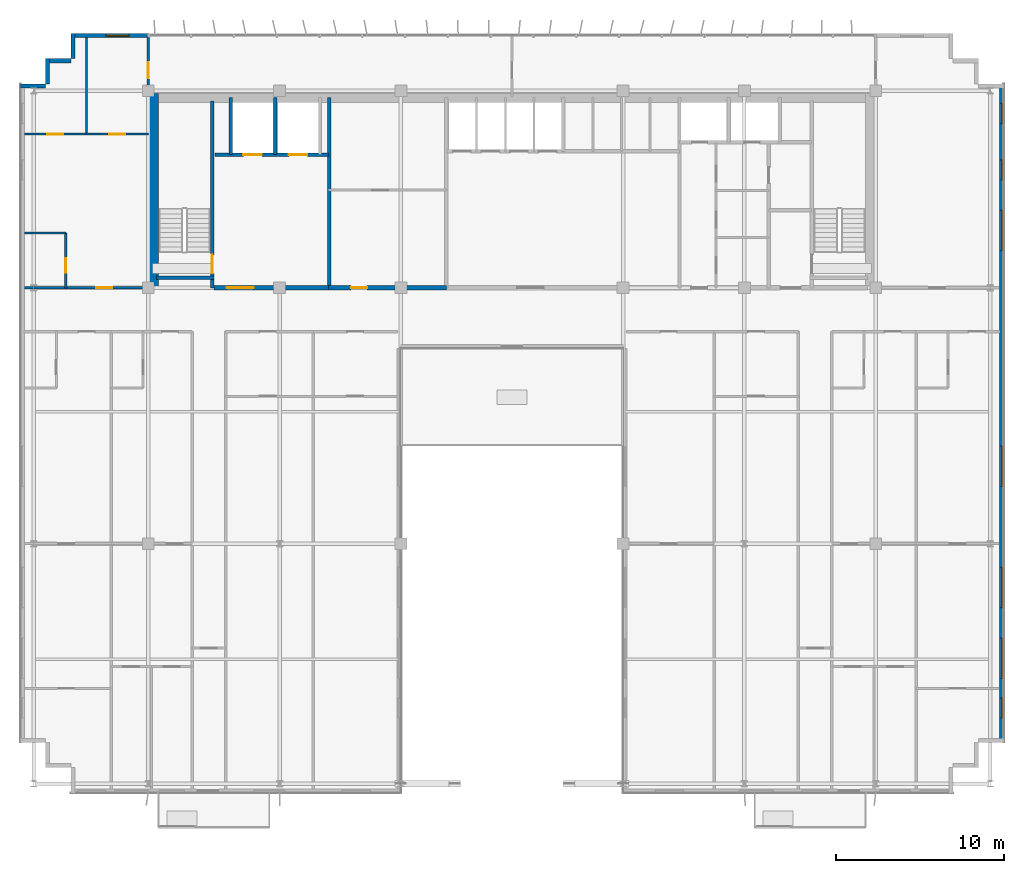
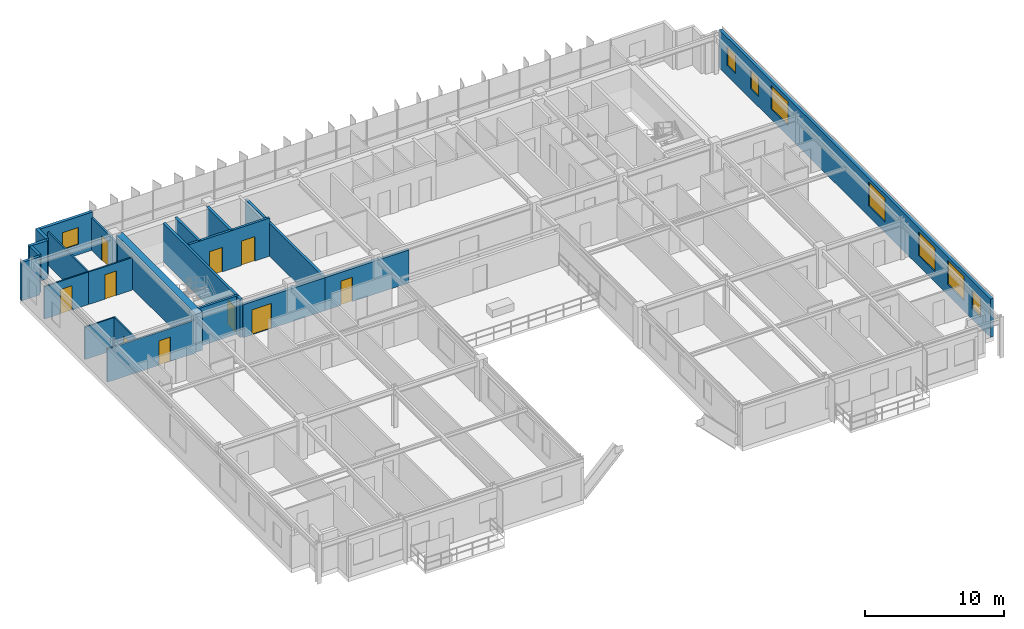
# One storey, part 19 of 23: 22 walls, 10 doors, 8 windows, 18 openings.
"""IFC4 building model written with IfcOpenShell, lengths in metres."""

import ifcopenshell
import ifcopenshell.guid

model = None  # the IFC model being written
_history = None  # IfcOwnerHistory: only IFC2X3 demands one
_inside = {}  # id of a spatial element -> (the spatial element, [elements in it])
_under = {}  # id of a project, library or spatial element -> (it, [spatial elements below it])
_declared = {}  # id of a project -> (the project, [libraries it declares])
_typed = {}  # id of a type object -> (the type object, [elements of that type])
_made_of = {}  # id of a material, layer set ... -> (it, [elements and type objects made of it])


def new_model(schema):
    """Start an empty IFC model of exactly this schema.

    Asked for "IFC4X3", IfcOpenShell would pick the latest addendum, in which some entities
    have other attributes; the version numbers below select the first issue.
    IFC2X3 requires an IfcOwnerHistory on every rooted entity: one is made here for all.
    """
    global model, _history
    if schema == "IFC4X3":
        model = ifcopenshell.file(schema_version=(4, 3, 0, 0))
    else:
        model = ifcopenshell.file(schema=schema)
    _inside.clear()
    _under.clear()
    _declared.clear()
    _typed.clear()
    _made_of.clear()
    _history = None
    if model.schema == "IFC2X3":
        org = make("IfcOrganization", Name="unknown")
        user = make(
            "IfcPersonAndOrganization",
            ThePerson=make("IfcPerson", FamilyName="unknown"),
            TheOrganization=org,
        )
        app = make(
            "IfcApplication",
            ApplicationDeveloper=org,
            Version="unknown",
            ApplicationFullName="unknown",
            ApplicationIdentifier="unknown",
        )
        _history = make(
            "IfcOwnerHistory",
            OwningUser=user,
            OwningApplication=app,
            ChangeAction="ADDED",
            CreationDate=0,
        )
    return model


def make(cls, **values):
    """One entity of the class cls with the attributes given. An attribute that is None is left unset."""
    return model.create_entity(
        cls, **{name: value for name, value in values.items() if value is not None}
    )


def rooted(cls, **values):
    """An entity with a GlobalId (a new one), such as an element, a storey or a relation."""
    return make(cls, GlobalId=ifcopenshell.guid.new(), OwnerHistory=_history, **values)


def si_unit(unit_type, name, prefix=None):
    """IfcSIUnit, for example si_unit("LENGTHUNIT", "METRE", prefix="MILLI")."""
    return make("IfcSIUnit", UnitType=unit_type, Prefix=prefix, Name=name)


def assignment(units):
    """IfcUnitAssignment: the units of a project."""
    return None if units is None else make("IfcUnitAssignment", Units=units)


def point(xyz):
    """IfcCartesianPoint."""
    return None if xyz is None else make("IfcCartesianPoint", Coordinates=xyz)


def direction(xyz):
    """IfcDirection."""
    return None if xyz is None else make("IfcDirection", DirectionRatios=xyz)


def frame(location, z_axis=None, x_axis=None):
    """IfcAxis2Placement3D, a coordinate frame: its origin and axes. An axis left out is left unset."""
    return make(
        "IfcAxis2Placement3D",
        Location=point(location),
        Axis=direction(z_axis),
        RefDirection=direction(x_axis),
    )


def frame_2d(location, x_axis=None):
    """IfcAxis2Placement2D, a coordinate frame in the plane: its origin and x axis."""
    return make(
        "IfcAxis2Placement2D", Location=point(location), RefDirection=direction(x_axis)
    )


def origin():
    """The frame at (0, 0, 0) with its axes left unset."""
    return frame((0.0, 0.0, 0.0))


def place(relative_to, where):
    """IfcLocalPlacement: puts the frame where relative to a parent placement (None: the world)."""
    return make(
        "IfcLocalPlacement", PlacementRelTo=relative_to, RelativePlacement=where
    )


def context(
    kind, dimensions, precision=None, world=None, true_north=None, identifier=None
):
    """IfcGeometricRepresentationContext, for example the 3D "Model" context."""
    return make(
        "IfcGeometricRepresentationContext",
        ContextIdentifier=identifier,
        ContextType=kind,
        CoordinateSpaceDimension=dimensions,
        Precision=precision,
        WorldCoordinateSystem=world,
        TrueNorth=true_north,
    )


def subcontext(parent, identifier, kind, view, scale=None):
    """IfcGeometricRepresentationSubContext, for example "Body" below "Model"."""
    return make(
        "IfcGeometricRepresentationSubContext",
        ContextIdentifier=identifier,
        ContextType=kind,
        ParentContext=parent,
        TargetScale=scale,
        TargetView=view,
    )


def project(units=None, contexts=None):
    """IfcProject with its units and contexts."""
    return rooted(
        "IfcProject",
        Name="project",
        RepresentationContexts=contexts,
        UnitsInContext=assignment(units),
    )


def spatial(cls, under=None, at=None, **own):
    """A site, building, storey or space (cls), placed at a placement, below another one or the project."""
    s = rooted(cls, ObjectPlacement=at, **own)
    if under is not None:
        _under.setdefault(under.id(), (under, []))[1].append(s)
    return s


def profile(cls, at=None, kind="AREA", **sizes):
    """A parametric profile (cls). Its sizes go by their IFC names, for example OverallWidth=200.0."""
    return make(cls, ProfileType=kind, Position=at, **sizes)


def rectangle(**sizes):
    """IfcRectangleProfileDef."""
    return profile("IfcRectangleProfileDef", **sizes)


def extrude(swept, where, along, depth):
    """IfcExtrudedAreaSolid: the profile swept, set in the frame where, extruded along a direction by depth."""
    return make(
        "IfcExtrudedAreaSolid",
        SweptArea=swept,
        Position=where,
        ExtrudedDirection=direction(along),
        Depth=depth,
    )


def shape(context_of_items, identifier, shape_type, items):
    """IfcShapeRepresentation: the items that make up one representation, for example the "Body"."""
    return make(
        "IfcShapeRepresentation",
        ContextOfItems=context_of_items,
        RepresentationIdentifier=identifier,
        RepresentationType=shape_type,
        Items=items,
    )


def source(mapping_origin, context_of_items, identifier, shape_type, items):
    """IfcRepresentationMap: a shape defined once, which mapped items show again and again."""
    return make(
        "IfcRepresentationMap",
        MappingOrigin=mapping_origin,
        MappedRepresentation=shape(context_of_items, identifier, shape_type, items),
    )


def transform(
    local_origin,
    x_axis=None,
    y_axis=None,
    z_axis=None,
    scale=None,
    scale2=None,
    scale3=None,
    uniform=True,
):
    """IfcCartesianTransformationOperator3D, or its non-uniform kind. x_axis, y_axis, z_axis: its Axis1, 2, 3."""
    if uniform:
        return make(
            "IfcCartesianTransformationOperator3D",
            Axis1=direction(x_axis),
            Axis2=direction(y_axis),
            LocalOrigin=point(local_origin),
            Scale=scale,
            Axis3=direction(z_axis),
        )
    return make(
        "IfcCartesianTransformationOperator3DnonUniform",
        Axis1=direction(x_axis),
        Axis2=direction(y_axis),
        LocalOrigin=point(local_origin),
        Scale=scale,
        Axis3=direction(z_axis),
        Scale2=scale2,
        Scale3=scale3,
    )


def mapped(mapping_source, mapping_target):
    """IfcMappedItem: shows the shape of a source again, moved by a transform."""
    return make(
        "IfcMappedItem", MappingSource=mapping_source, MappingTarget=mapping_target
    )


def material(Name=None, Category=None):
    """IfcMaterial."""
    return make("IfcMaterial", Name=Name, Category=Category)


def layer(
    of_material, thickness, ventilated=None, Name=None, Category=None, Priority=None
):
    """IfcMaterialLayer: one layer of a wall or slab, of a material (None: an air gap)."""
    return make(
        "IfcMaterialLayer",
        Material=of_material,
        LayerThickness=thickness,
        IsVentilated=ventilated,
        Name=Name,
        Category=Category,
        Priority=Priority,
    )


def layer_set(layers, Name=None):
    """IfcMaterialLayerSet."""
    return make("IfcMaterialLayerSet", MaterialLayers=layers, LayerSetName=Name)


def made_of(thing, what):
    """Note that an element or type object is made of a material, layer set ...; save() writes the relation."""
    if what is not None:
        _made_of.setdefault(what.id(), (what, []))[1].append(thing)
    return thing


def type_object(cls, material=None, **own):
    """A type object (cls), such as IfcWallType, which elements share."""
    return made_of(rooted(cls, **own), material)


def element(
    cls,
    number,
    at=None,
    inside=None,
    cuts=None,
    type_object=None,
    material=None,
    context=None,
    identifier="Body",
    shape_type=None,
    held_by="IfcProductDefinitionShape",
    body=None,
    shapes=None,
    **own,
):
    """One element of the class cls, such as IfcWall. Its Tag is "e" and its number.

    at: its placement. inside: the storey or other place that contains it. cuts: it is an
    opening in that element (IfcRelVoidsElement). A single representation is given by context,
    identifier, shape_type and body (its items); several are given by shapes. held_by: the class
    of the entity that holds the representations. save() writes the other relations.
    """
    e = rooted(cls, Tag="e%d" % number, ObjectPlacement=at, **own)
    if body is not None:
        shapes = [shape(context, identifier, shape_type, body)]
    if shapes is not None:
        e.Representation = make(held_by, Representations=shapes)
    if inside is not None:
        _inside.setdefault(inside.id(), (inside, []))[1].append(e)
    if cuts is not None:
        rooted(
            "IfcRelVoidsElement", RelatingBuildingElement=cuts, RelatedOpeningElement=e
        )
    if type_object is not None:
        _typed.setdefault(type_object.id(), (type_object, []))[1].append(e)
    return made_of(e, material)


def fill(opening, filler):
    """IfcRelFillsElement: the door or window that sits in an opening."""
    return rooted(
        "IfcRelFillsElement",
        RelatingOpeningElement=opening,
        RelatedBuildingElement=filler,
    )


def aggregate(whole, parts):
    """IfcRelAggregates: a whole, such as a stair, and the parts it consists of."""
    return rooted("IfcRelAggregates", RelatingObject=whole, RelatedObjects=parts)


def save(model, path):
    """Write the relations noted so far, then the file.

    IfcRelAggregates (storeys below a building ...), IfcRelContainedInSpatialStructure (elements
    in a storey), IfcRelDefinesByType, IfcRelAssociatesMaterial and IfcRelDeclares: one each for
    every whole, place, type object, material and project.
    """
    for whole, parts in _under.values():
        aggregate(whole, parts)
    for where, things in _inside.values():
        rooted(
            "IfcRelContainedInSpatialStructure",
            RelatedElements=things,
            RelatingStructure=where,
        )
    for kind, things in _typed.values():
        rooted("IfcRelDefinesByType", RelatedObjects=things, RelatingType=kind)
    for what, things in _made_of.values():
        rooted("IfcRelAssociatesMaterial", RelatedObjects=things, RelatingMaterial=what)
    for by, libraries in _declared.values():
        rooted("IfcRelDeclares", RelatingContext=by, RelatedDefinitions=libraries)
    model.write(path)


model = new_model("IFC4")

# Units and contexts
model_context = context("Model", 3, precision=1e-05, world=origin(), true_north=direction((0.0, 1.0)))
body_context = subcontext(model_context, "Body", "Model", "MODEL_VIEW")
ifc_project = project(units=[si_unit("LENGTHUNIT", "METRE"), si_unit("AREAUNIT", "SQUARE_METRE"), si_unit("VOLUMEUNIT", "CUBIC_METRE"), si_unit("PLANEANGLEUNIT", "RADIAN"), si_unit("MASSUNIT", "GRAM", prefix="KILO")], contexts=[model_context])

# Site, building, storey
site_placement = place(None, origin())
site = spatial("IfcSite", under=ifc_project, at=site_placement, CompositionType="ELEMENT")
building_placement = place(site_placement, origin())
building = spatial("IfcBuilding", under=site, at=building_placement, Name="Trelvane Seafront Commons", CompositionType="ELEMENT")
storey_placement = place(building_placement, frame((0.0, 0.0, 190.5)))
storey = spatial("IfcBuildingStorey", under=building, at=storey_placement, Name="L49", CompositionType="ELEMENT", Elevation=190.5)

# Wall, opening, window
ifc_material_1 = material(Name="Precast concrete C40/50", Category="concrete")
ifc_layer_1 = layer(ifc_material_1, 0.239990234375, Name="ARCH-WALL-EXT240")
ifc_layer_set_1 = layer_set([ifc_layer_1], Name="Precast concrete C40/50")
wall_type_1 = type_object("IfcWallType", Name="ARCH-WALL-EXT240", PredefinedType="SOLIDWALL", material=ifc_layer_set_1)
wall_1_placement = place(storey_placement, frame((11.10009765625, 48.3701171875, 0.0), z_axis=(0.0, 0.0, 1.0), x_axis=(1.0, 0.0, 0.0)))
wall_1 = element("IfcWall", 1, at=wall_1_placement, inside=storey, type_object=wall_type_1, Name="EW-L49-NW-0957", PredefinedType="SOLIDWALL", context=body_context, shape_type="SweptSolid", body=[
    extrude(rectangle(XDim=4.5, YDim=0.239990234375, at=frame_2d((2.25, 0.0))), origin(), (0.0, 0.0, 1.0), 3.360107421875),
])
opening_1_placement = place(wall_1_placement, frame((2.0029296875, 0.0, 0.89990234375)))
opening_1 = element("IfcOpeningElement", 2, at=opening_1_placement, cuts=wall_1, Name="Opening W09", PredefinedType="OPENING", context=body_context, shape_type="SweptSolid", body=[
    extrude(rectangle(XDim=1.35009765625, YDim=1.5, at=frame_2d((0.675048828125, 0.75))), frame((0.0, 0.1298828125, 0.0), z_axis=(0.0, -1.0, 0.0), x_axis=(1.0, 0.0, 0.0)), (0.0, 0.0, 1.0), 0.260009765625),
])
ifc_material_2 = material(Name="Low-E coastal double glazing", Category="glass")
window_type_1 = type_object("IfcWindowType", Name="ARCH-WIN-W09", PartitioningType="SINGLE_PANEL", PredefinedType="WINDOW", material=ifc_material_2)
shared_shape_1 = source(origin(), body_context, "Body", "SweptSolid", [
    extrude(rectangle(XDim=1.35009765625, YDim=1.5, at=frame_2d((0.675048828125, 0.75))), frame((0.0, 0.030029296875, 0.0), z_axis=(0.0, -1.0, 0.0), x_axis=(1.0, 0.0, 0.0)), (0.0, 0.0, 1.0), 0.06005859375),
])
window_1_placement = place(opening_1_placement, origin())
window_1 = element("IfcWindow", 3, at=window_1_placement, inside=storey, type_object=window_type_1, Name="WIN-L49-01134", OverallHeight=1.5, OverallWidth=1.35009765625, PartitioningType="SINGLE_PANEL", PredefinedType="WINDOW", context=body_context, shape_type="MappedRepresentation", body=[
    mapped(shared_shape_1, transform((0.0, 0.0, 0.0), x_axis=(1.0, 0.0, 0.0), y_axis=(0.0, 1.0, 0.0), z_axis=(0.0, 0.0, 1.0), scale=1.0)),
])
fill(opening_1, window_1)

# Walls
for number, where, z_axis, x_axis, name in (
    (4, (8.0, 45.3798828125, 0.0), (0.0, 0.0, 1.0), (1.0, 0.0, 0.0), "EW-L49-00963"),
    (5, (9.6201171875, 45.5, 0.0), (0.0, 0.0, 1.0), (0.0, 1.0, 0.0), "EW-L49-00964"),
    (6, (9.5, 46.8798828125, 0.0), (0.0, 0.0, 1.0), (1.0, 0.0, 0.0), "EW-L49-00965"),
    (7, (11.1201171875, 47.0, 0.0), (0.0, 0.0, 1.0), (0.0, 1.0, 0.0), "EW-L49-00966"),
):
    element("IfcWall", number, at=place(storey_placement, frame(where, z_axis=z_axis, x_axis=x_axis)), inside=storey, type_object=wall_type_1, Name=name, PredefinedType="SOLIDWALL", context=body_context, shape_type="SweptSolid", body=[
        extrude(rectangle(XDim=1.5, YDim=0.239990234375, at=frame_2d((0.75, 0.0))), origin(), (0.0, 0.0, 1.0), 3.360107421875),
    ])

# Wall, openings, windows
wall_2_placement = place(storey_placement, frame((66.280029296875, 45.5, 0.0), z_axis=(0.0, 0.0, 1.0), x_axis=(0.0, -1.0, 0.0)))
wall_2 = element("IfcWall", 8, at=wall_2_placement, inside=storey, type_object=wall_type_1, Name="EW-L49-00971", PredefinedType="SOLIDWALL", context=body_context, shape_type="SweptSolid", body=[
    extrude(rectangle(XDim=39.10009765625, YDim=0.239990234375, at=frame_2d((19.550048828125, 0.0))), origin(), (0.0, 0.0, 1.0), 3.360107421875),
])
opening_2_placement = place(wall_2_placement, frame((36.449951171875, 0.0, 0.919921875)))
opening_2 = element("IfcOpeningElement", 9, at=opening_2_placement, cuts=wall_2, Name="Opening W05", PredefinedType="OPENING", context=body_context, shape_type="SweptSolid", body=[
    extrude(rectangle(XDim=1.199951171875, YDim=1.64990234375, at=frame_2d((0.60009765625, 0.824951171875))), frame((0.0, 0.1298828125, 0.0), z_axis=(0.0, -1.0, 0.0), x_axis=(1.0, 0.0, 0.0)), (0.0, 0.0, 1.0), 0.260009765625),
])
opening_3_placement = place(wall_2_placement, frame((32.89990234375, 0.0, 0.919921875)))
opening_3 = element("IfcOpeningElement", 10, at=opening_3_placement, cuts=wall_2, Name="Opening W08", PredefinedType="OPENING", context=body_context, shape_type="SweptSolid", body=[
    extrude(rectangle(XDim=2.39990234375, YDim=2.10009765625, at=frame_2d((1.199951171875, 1.050048828125))), frame((0.0, 0.1298828125, 0.0), z_axis=(0.0, -1.0, 0.0), x_axis=(1.0, 0.0, 0.0)), (0.0, 0.0, 1.0), 0.260009765625),
])
opening_4_placement = place(wall_2_placement, frame((28.699951171875, 0.0, 0.919921875)))
opening_4 = element("IfcOpeningElement", 11, at=opening_4_placement, cuts=wall_2, Name="Opening W08", PredefinedType="OPENING", context=body_context, shape_type="SweptSolid", body=[
    extrude(rectangle(XDim=2.39990234375, YDim=2.10009765625, at=frame_2d((1.199951171875, 1.050048828125))), frame((0.0, 0.1298828125, 0.0), z_axis=(0.0, -1.0, 0.0), x_axis=(1.0, 0.0, 0.0)), (0.0, 0.0, 1.0), 0.260009765625),
])
opening_5_placement = place(wall_2_placement, frame((21.5, 0.0, 0.919921875)))
opening_5 = element("IfcOpeningElement", 12, at=opening_5_placement, cuts=wall_2, Name="Opening W08", PredefinedType="OPENING", context=body_context, shape_type="SweptSolid", body=[
    extrude(rectangle(XDim=2.39990234375, YDim=2.10009765625, at=frame_2d((1.199951171875, 1.050048828125))), frame((0.0, 0.1298828125, 0.0), z_axis=(0.0, -1.0, 0.0), x_axis=(1.0, 0.0, 0.0)), (0.0, 0.0, 1.0), 0.260009765625),
])
opening_6_placement = place(wall_2_placement, frame((7.5, 0.0, 0.919921875)))
opening_6 = element("IfcOpeningElement", 13, at=opening_6_placement, cuts=wall_2, Name="Opening W08", PredefinedType="OPENING", context=body_context, shape_type="SweptSolid", body=[
    extrude(rectangle(XDim=2.39990234375, YDim=2.10009765625, at=frame_2d((1.199951171875, 1.050048828125))), frame((0.0, 0.1298828125, 0.0), z_axis=(0.0, -1.0, 0.0), x_axis=(1.0, 0.0, 0.0)), (0.0, 0.0, 1.0), 0.260009765625),
])
opening_7_placement = place(wall_2_placement, frame((4.5, 0.0, 0.919921875)))
opening_7 = element("IfcOpeningElement", 14, at=opening_7_placement, cuts=wall_2, Name="Opening W05", PredefinedType="OPENING", context=body_context, shape_type="SweptSolid", body=[
    extrude(rectangle(XDim=1.199951171875, YDim=1.64990234375, at=frame_2d((0.60009765625, 0.824951171875))), frame((0.0, 0.1298828125, 0.0), z_axis=(0.0, -1.0, 0.0), x_axis=(1.0, 0.0, 0.0)), (0.0, 0.0, 1.0), 0.260009765625),
])
opening_8_placement = place(wall_2_placement, frame((1.14990234375, 0.0, 0.919921875)))
opening_8 = element("IfcOpeningElement", 15, at=opening_8_placement, cuts=wall_2, Name="Opening W05", PredefinedType="OPENING", context=body_context, shape_type="SweptSolid", body=[
    extrude(rectangle(XDim=1.199951171875, YDim=1.64990234375, at=frame_2d((0.60009765625, 0.824951171875))), frame((0.0, 0.1298828125, 0.0), z_axis=(0.0, -1.0, 0.0), x_axis=(1.0, 0.0, 0.0)), (0.0, 0.0, 1.0), 0.260009765625),
])
window_type_2 = type_object("IfcWindowType", Name="ARCH-WIN-W08", PartitioningType="SINGLE_PANEL", PredefinedType="WINDOW", material=ifc_material_2)
shared_shape_2 = source(origin(), body_context, "Body", "SweptSolid", [
    extrude(rectangle(XDim=2.39990234375, YDim=2.10009765625, at=frame_2d((1.199951171875, 1.050048828125))), frame((0.0, 0.030029296875, 0.0), z_axis=(0.0, -1.0, 0.0), x_axis=(1.0, 0.0, 0.0)), (0.0, 0.0, 1.0), 0.06005859375),
])
window_2_placement = place(opening_3_placement, origin())
window_2 = element("IfcWindow", 16, at=window_2_placement, inside=storey, type_object=window_type_2, Name="WIN-L49-EW-01143", OverallHeight=2.10009765625, OverallWidth=2.39990234375, PartitioningType="SINGLE_PANEL", PredefinedType="WINDOW", context=body_context, shape_type="MappedRepresentation", body=[
    mapped(shared_shape_2, transform((0.0, 0.0, 0.0), x_axis=(1.0, 0.0, 0.0), y_axis=(0.0, 1.0, 0.0), z_axis=(0.0, 0.0, 1.0), scale=1.0)),
])
fill(opening_3, window_2)
window_3_placement = place(opening_4_placement, origin())
window_3 = element("IfcWindow", 17, at=window_3_placement, inside=storey, type_object=window_type_2, Name="WIN-L49-EW-01144", OverallHeight=2.10009765625, OverallWidth=2.39990234375, PartitioningType="SINGLE_PANEL", PredefinedType="WINDOW", context=body_context, shape_type="MappedRepresentation", body=[
    mapped(shared_shape_2, transform((0.0, 0.0, 0.0), x_axis=(1.0, 0.0, 0.0), y_axis=(0.0, 1.0, 0.0), z_axis=(0.0, 0.0, 1.0), scale=1.0)),
])
fill(opening_4, window_3)
window_4_placement = place(opening_5_placement, origin())
window_4 = element("IfcWindow", 18, at=window_4_placement, inside=storey, type_object=window_type_2, Name="WIN-L49-EW-01145", OverallHeight=2.10009765625, OverallWidth=2.39990234375, PartitioningType="SINGLE_PANEL", PredefinedType="WINDOW", context=body_context, shape_type="MappedRepresentation", body=[
    mapped(shared_shape_2, transform((0.0, 0.0, 0.0), x_axis=(1.0, 0.0, 0.0), y_axis=(0.0, 1.0, 0.0), z_axis=(0.0, 0.0, 1.0), scale=1.0)),
])
fill(opening_5, window_4)
window_5_placement = place(opening_6_placement, origin())
window_5 = element("IfcWindow", 19, at=window_5_placement, inside=storey, type_object=window_type_2, Name="WIN-L49-EW-01146", OverallHeight=2.10009765625, OverallWidth=2.39990234375, PartitioningType="SINGLE_PANEL", PredefinedType="WINDOW", context=body_context, shape_type="MappedRepresentation", body=[
    mapped(shared_shape_2, transform((0.0, 0.0, 0.0), x_axis=(1.0, 0.0, 0.0), y_axis=(0.0, 1.0, 0.0), z_axis=(0.0, 0.0, 1.0), scale=1.0)),
])
fill(opening_6, window_5)
window_type_3 = type_object("IfcWindowType", Name="ARCH-WIN-W05", PartitioningType="SINGLE_PANEL", PredefinedType="WINDOW", material=ifc_material_2)
shared_shape_3 = source(origin(), body_context, "Body", "SweptSolid", [
    extrude(rectangle(XDim=1.199951171875, YDim=1.64990234375, at=frame_2d((0.60009765625, 0.824951171875))), frame((0.0, 0.030029296875, 0.0), z_axis=(0.0, -1.0, 0.0), x_axis=(1.0, 0.0, 0.0)), (0.0, 0.0, 1.0), 0.06005859375),
])
window_6_placement = place(opening_2_placement, origin())
window_6 = element("IfcWindow", 20, at=window_6_placement, inside=storey, type_object=window_type_3, Name="WIN-L49-EW-01142", OverallHeight=1.64990234375, OverallWidth=1.199951171875, PartitioningType="SINGLE_PANEL", PredefinedType="WINDOW", context=body_context, shape_type="MappedRepresentation", body=[
    mapped(shared_shape_3, transform((0.0, 0.0, 0.0), x_axis=(1.0, 0.0, 0.0), y_axis=(0.0, 1.0, 0.0), z_axis=(0.0, 0.0, 1.0), scale=1.0)),
])
fill(opening_2, window_6)
window_7_placement = place(opening_7_placement, origin())
window_7 = element("IfcWindow", 21, at=window_7_placement, inside=storey, type_object=window_type_3, Name="WIN-L49-EW-01147", OverallHeight=1.64990234375, OverallWidth=1.199951171875, PartitioningType="SINGLE_PANEL", PredefinedType="WINDOW", context=body_context, shape_type="MappedRepresentation", body=[
    mapped(shared_shape_3, transform((0.0, 0.0, 0.0), x_axis=(1.0, 0.0, 0.0), y_axis=(0.0, 1.0, 0.0), z_axis=(0.0, 0.0, 1.0), scale=1.0)),
])
fill(opening_7, window_7)
window_8_placement = place(opening_8_placement, origin())
window_8 = element("IfcWindow", 22, at=window_8_placement, inside=storey, type_object=window_type_3, Name="WIN-L49-EW-01148", OverallHeight=1.64990234375, OverallWidth=1.199951171875, PartitioningType="SINGLE_PANEL", PredefinedType="WINDOW", context=body_context, shape_type="MappedRepresentation", body=[
    mapped(shared_shape_3, transform((0.0, 0.0, 0.0), x_axis=(1.0, 0.0, 0.0), y_axis=(0.0, 1.0, 0.0), z_axis=(0.0, 0.0, 1.0), scale=1.0)),
])
fill(opening_8, window_8)

# Wall, opening, door
ifc_material_3 = material(Name="Concrete C40/50", Category="concrete")
ifc_layer_2 = layer(ifc_material_3, 0.25, Name="ARCH-WALL-FIRE250")
ifc_layer_set_2 = layer_set([ifc_layer_2], Name="Concrete C40/50")
wall_type_2 = type_object("IfcWallType", Name="ARCH-WALL-FIRE250", PredefinedType="PARTITIONING", material=ifc_layer_set_2)
wall_3_placement = place(storey_placement, frame((19.5, 33.39990234375, 0.0), z_axis=(0.0, 0.0, 1.0), x_axis=(1.0, 0.0, 0.0)))
wall_3 = element("IfcWall", 23, at=wall_3_placement, inside=storey, type_object=wall_type_2, Name="W-L49-CS-FFL-013", PredefinedType="PARTITIONING", context=body_context, shape_type="SweptSolid", body=[
    extrude(rectangle(XDim=6.800048828125, YDim=0.25, at=frame_2d((3.39990234375, 0.0))), origin(), (0.0, 0.0, 1.0), 2.909912109375),
])
opening_9_placement = place(wall_3_placement, frame((0.75, 0.0, 0.0)))
opening_9 = element("IfcOpeningElement", 24, at=opening_9_placement, cuts=wall_3, Name="Opening FD-L49-05", PredefinedType="OPENING", context=body_context, shape_type="SweptSolid", body=[
    extrude(rectangle(XDim=1.60009765625, YDim=2.199951171875, at=frame_2d((0.800048828125, 1.10009765625))), frame((0.0, 0.135009765625, 0.0), z_axis=(0.0, -1.0, 0.0), x_axis=(1.0, 0.0, 0.0)), (0.0, 0.0, 1.0), 0.27001953125),
])
ifc_material_4 = material(Name="Powder-coated aluminium frame", Category="aluminium")
door_type_1 = type_object("IfcDoorType", Name="ARCH-DR-FD60-1600", OperationType="DOUBLE_DOOR_SINGLE_SWING", PredefinedType="DOOR", material=ifc_material_4)
shared_shape_4 = source(origin(), body_context, "Body", "SweptSolid", [
    extrude(rectangle(XDim=1.60009765625, YDim=2.199951171875, at=frame_2d((0.800048828125, 1.10009765625))), frame((0.0, 0.02490234375, 0.0), z_axis=(0.0, -1.0, 0.0), x_axis=(1.0, 0.0, 0.0)), (0.0, 0.0, 1.0), 0.050048828125),
])
door_1_placement = place(opening_9_placement, origin())
door_1 = element("IfcDoor", 25, at=door_1_placement, inside=storey, type_object=door_type_1, Name="L49 Firefighting Lift Lobby Double Fire Door", OperationType="DOUBLE_DOOR_SINGLE_SWING", OverallHeight=2.199951171875, OverallWidth=1.60009765625, PredefinedType="DOOR", context=body_context, shape_type="MappedRepresentation", body=[
    mapped(shared_shape_4, transform((0.0, 0.0, 0.0), x_axis=(1.0, 0.0, 0.0), y_axis=(0.0, 1.0, 0.0), z_axis=(0.0, 0.0, 1.0), scale=1.0)),
])
fill(opening_9, door_1)

wall_4_placement = place(storey_placement, frame((26.300048828125, 33.39990234375, 0.0), z_axis=(0.0, 0.0, 1.0), x_axis=(1.0, 0.0, 0.0)))
wall_4 = element("IfcWall", 26, at=wall_4_placement, inside=storey, type_object=wall_type_2, Name="W-L49-CS-FPL-026", PredefinedType="PARTITIONING", context=body_context, shape_type="SweptSolid", body=[
    extrude(rectangle(XDim=7.0, YDim=0.25, at=frame_2d((3.5, 0.0))), origin(), (0.0, 0.0, 1.0), 2.909912109375),
])
opening_10_placement = place(wall_4_placement, frame((1.35009765625, 0.0, 0.0)))
opening_10 = element("IfcOpeningElement", 27, at=opening_10_placement, cuts=wall_4, Name="Opening D-L49-11", PredefinedType="OPENING", context=body_context, shape_type="SweptSolid", body=[
    extrude(rectangle(XDim=0.949951171875, YDim=2.14990234375, at=frame_2d((0.47509765625, 1.074951171875))), frame((0.0, 0.135009765625, 0.0), z_axis=(0.0, -1.0, 0.0), x_axis=(1.0, 0.0, 0.0)), (0.0, 0.0, 1.0), 0.27001953125),
])
ifc_material_5 = material(Name="Acoustic timber door leaf", Category="wood")
door_type_2 = type_object("IfcDoorType", Name="ARCH-DR-INT950", OperationType="NOTDEFINED", PredefinedType="DOOR", material=ifc_material_5)
shared_shape_5 = source(origin(), body_context, "Body", "SweptSolid", [
    extrude(rectangle(XDim=0.949951171875, YDim=2.14990234375, at=frame_2d((0.47509765625, 1.074951171875))), frame((0.0, 0.02490234375, 0.0), z_axis=(0.0, -1.0, 0.0), x_axis=(1.0, 0.0, 0.0)), (0.0, 0.0, 1.0), 0.050048828125),
])
door_2_placement = place(opening_10_placement, origin())
door_2 = element("IfcDoor", 28, at=door_2_placement, inside=storey, type_object=door_type_2, Name="L49 Floor Pantry Entrance Door", OperationType="SINGLE_SWING_LEFT", OverallHeight=2.14990234375, OverallWidth=0.949951171875, PredefinedType="DOOR", context=body_context, shape_type="MappedRepresentation", body=[
    mapped(shared_shape_5, transform((0.0, 0.0, 0.0), x_axis=(1.0, 0.0, 0.0), y_axis=(0.0, 1.0, 0.0), z_axis=(0.0, 0.0, 1.0), scale=1.0)),
])
fill(opening_10, door_2)

ifc_material_6 = material(Name="Gypsum Drywall Acoustic Partition")
ifc_layer_3 = layer(ifc_material_6, 0.1201171875, Name="ARCH-WALL-PART120")
ifc_layer_set_3 = layer_set([ifc_layer_3], Name="Gypsum Drywall Acoustic Partition")
wall_type_3 = type_object("IfcWallType", Name="ARCH-WALL-PART120", PredefinedType="PARTITIONING", material=ifc_layer_set_3)
wall_5_placement = place(storey_placement, frame((10.699951171875, 33.39990234375, 0.0), z_axis=(0.0, 0.0, 1.0), x_axis=(0.0, 1.0, 0.0)))
wall_5 = element("IfcWall", 29, at=wall_5_placement, inside=storey, type_object=wall_type_3, Name="W-L49-NW-BE-037", PredefinedType="PARTITIONING", context=body_context, shape_type="SweptSolid", body=[
    extrude(rectangle(XDim=3.25, YDim=0.1201171875, at=frame_2d((1.625, 0.0))), origin(), (0.0, 0.0, 1.0), 2.909912109375),
])
opening_11_placement = place(wall_5_placement, frame((0.89990234375, 0.0, 0.0)))
opening_11 = element("IfcOpeningElement", 30, at=opening_11_placement, cuts=wall_5, Name="Opening D-L49-21", PredefinedType="OPENING", context=body_context, shape_type="SweptSolid", body=[
    extrude(rectangle(XDim=0.85009765625, YDim=2.10009765625, at=frame_2d((0.425048828125, 1.050048828125))), frame((0.0, 0.070068359375, 0.0), z_axis=(0.0, -1.0, 0.0), x_axis=(1.0, 0.0, 0.0)), (0.0, 0.0, 1.0), 0.14013671875),
])
door_type_3 = type_object("IfcDoorType", Name="ARCH-DR-INT850", OperationType="NOTDEFINED", PredefinedType="DOOR", material=ifc_material_5)
shared_shape_6 = source(origin(), body_context, "Body", "SweptSolid", [
    extrude(rectangle(XDim=0.85009765625, YDim=2.10009765625, at=frame_2d((0.425048828125, 1.050048828125))), frame((0.0, 0.02490234375, 0.0), z_axis=(0.0, -1.0, 0.0), x_axis=(1.0, 0.0, 0.0)), (0.0, 0.0, 1.0), 0.050048828125),
])
door_3_placement = place(opening_11_placement, origin())
door_3 = element("IfcDoor", 31, at=door_3_placement, inside=storey, type_object=door_type_3, Name="L49 Door 21", OperationType="SINGLE_SWING_LEFT", OverallHeight=2.10009765625, OverallWidth=0.85009765625, PredefinedType="DOOR", context=body_context, shape_type="MappedRepresentation", body=[
    mapped(shared_shape_6, transform((0.0, 0.0, 0.0), x_axis=(1.0, 0.0, 0.0), y_axis=(0.0, 1.0, 0.0), z_axis=(0.0, 0.0, 1.0), scale=1.0)),
])
fill(opening_11, door_3)

# Wall
wall_6_placement = place(storey_placement, frame((8.25, 36.64990234375, 0.0), z_axis=(0.0, 0.0, 1.0), x_axis=(1.0, 0.0, 0.0)))
element("IfcWall", 32, at=wall_6_placement, inside=storey, type_object=wall_type_3, Name="W-L49-NW-BN-038", PredefinedType="PARTITIONING", context=body_context, shape_type="SweptSolid", body=[
    extrude(rectangle(XDim=2.449951171875, YDim=0.1201171875, at=frame_2d((1.22509765625, 0.0))), origin(), (0.0, 0.0, 1.0), 2.860107421875),
])

# Wall, opening, door
wall_7_placement = place(storey_placement, frame((8.25, 42.52001953125, 0.0), z_axis=(0.0, 0.0, 1.0), x_axis=(1.0, 0.0, 0.0)))
wall_7 = element("IfcWall", 33, at=wall_7_placement, inside=storey, type_object=wall_type_3, Name="W-L49-NW-KB1-039", PredefinedType="PARTITIONING", context=body_context, shape_type="SweptSolid", body=[
    extrude(rectangle(XDim=3.675048828125, YDim=0.1201171875, at=frame_2d((1.83740234375, 0.0))), origin(), (0.0, 0.0, 1.0), 2.860107421875),
])
opening_12_placement = place(wall_7_placement, frame((1.363037109375, 0.0, 0.0)))
opening_12 = element("IfcOpeningElement", 34, at=opening_12_placement, cuts=wall_7, Name="Opening D-L49-22", PredefinedType="OPENING", context=body_context, shape_type="SweptSolid", body=[
    extrude(rectangle(XDim=0.949951171875, YDim=2.14990234375, at=frame_2d((0.47509765625, 1.074951171875))), frame((0.0, 0.070068359375, 0.0), z_axis=(0.0, -1.0, 0.0), x_axis=(1.0, 0.0, 0.0)), (0.0, 0.0, 1.0), 0.14013671875),
])
door_4_placement = place(opening_12_placement, origin())
door_4 = element("IfcDoor", 35, at=door_4_placement, inside=storey, type_object=door_type_2, Name="L49 Door 22", OperationType="SINGLE_SWING_RIGHT", OverallHeight=2.14990234375, OverallWidth=0.949951171875, PredefinedType="DOOR", context=body_context, shape_type="MappedRepresentation", body=[
    mapped(shared_shape_5, transform((0.0, 0.0, 0.0), x_axis=(1.0, 0.0, 0.0), y_axis=(0.0, 1.0, 0.0), z_axis=(0.0, 0.0, 1.0), scale=1.0)),
])
fill(opening_12, door_4)

wall_8_placement = place(storey_placement, frame((11.925048828125, 42.52001953125, 0.0), z_axis=(0.0, 0.0, 1.0), x_axis=(1.0, 0.0, 0.0)))
wall_8 = element("IfcWall", 36, at=wall_8_placement, inside=storey, type_object=wall_type_3, Name="W-L49-NW-KB2-040", PredefinedType="PARTITIONING", context=body_context, shape_type="SweptSolid", body=[
    extrude(rectangle(XDim=3.675048828125, YDim=0.1201171875, at=frame_2d((1.83740234375, 0.0))), origin(), (0.0, 0.0, 1.0), 2.860107421875),
])
opening_13_placement = place(wall_8_placement, frame((1.362060546875, 0.0, 0.0)))
opening_13 = element("IfcOpeningElement", 37, at=opening_13_placement, cuts=wall_8, Name="Opening D-L49-23", PredefinedType="OPENING", context=body_context, shape_type="SweptSolid", body=[
    extrude(rectangle(XDim=0.949951171875, YDim=2.14990234375, at=frame_2d((0.47509765625, 1.074951171875))), frame((0.0, 0.070068359375, 0.0), z_axis=(0.0, -1.0, 0.0), x_axis=(1.0, 0.0, 0.0)), (0.0, 0.0, 1.0), 0.14013671875),
])
door_5_placement = place(opening_13_placement, origin())
door_5 = element("IfcDoor", 38, at=door_5_placement, inside=storey, type_object=door_type_2, Name="L49 Door 23", OperationType="SINGLE_SWING_LEFT", OverallHeight=2.14990234375, OverallWidth=0.949951171875, PredefinedType="DOOR", context=body_context, shape_type="MappedRepresentation", body=[
    mapped(shared_shape_5, transform((0.0, 0.0, 0.0), x_axis=(1.0, 0.0, 0.0), y_axis=(0.0, 1.0, 0.0), z_axis=(0.0, 0.0, 1.0), scale=1.0)),
])
fill(opening_13, door_5)

# Wall
wall_9_placement = place(storey_placement, frame((11.925048828125, 42.52001953125, 0.0), z_axis=(0.0, 0.0, 1.0), x_axis=(0.0, 1.0, 0.0)))
element("IfcWall", 39, at=wall_9_placement, inside=storey, type_object=wall_type_3, Name="W-L49-NW-KBDV-041", PredefinedType="PARTITIONING", context=body_context, shape_type="SweptSolid", body=[
    extrude(rectangle(XDim=5.739990234375, YDim=0.1201171875, at=frame_2d((2.8701171875, 0.0))), origin(), (0.0, 0.0, 1.0), 2.909912109375),
])

# Wall, opening, door
ifc_layer_4 = layer(ifc_material_6, 0.14990234375, Name="ARCH-WALL-PART150")
ifc_layer_set_4 = layer_set([ifc_layer_4], Name="Gypsum Drywall Acoustic Partition")
wall_type_4 = type_object("IfcWallType", Name="ARCH-WALL-PART150", PredefinedType="PARTITIONING", material=ifc_layer_set_4)
wall_10_placement = place(storey_placement, frame((8.25, 33.39990234375, 0.0), z_axis=(0.0, 0.0, 1.0), x_axis=(1.0, 0.0, 0.0)))
wall_10 = element("IfcWall", 40, at=wall_10_placement, inside=storey, type_object=wall_type_4, Name="W-L49-NW-ENT-042", PredefinedType="PARTITIONING", context=body_context, shape_type="SweptSolid", body=[
    extrude(rectangle(XDim=7.35009765625, YDim=0.14990234375, at=frame_2d((3.675048828125, 0.0))), origin(), (0.0, 0.0, 1.0), 2.909912109375),
])
opening_14_placement = place(wall_10_placement, frame((4.27490234375, 0.0, 0.0)))
opening_14 = element("IfcOpeningElement", 41, at=opening_14_placement, cuts=wall_10, Name="Opening FD-L49-24", PredefinedType="OPENING", context=body_context, shape_type="SweptSolid", body=[
    extrude(rectangle(XDim=0.949951171875, YDim=2.14990234375, at=frame_2d((0.47509765625, 1.074951171875))), frame((0.0, 0.0849609375, 0.0), z_axis=(0.0, -1.0, 0.0), x_axis=(1.0, 0.0, 0.0)), (0.0, 0.0, 1.0), 0.169921875),
])
door_type_4 = type_object("IfcDoorType", Name="ARCH-DR-FD60-950", OperationType="NOTDEFINED", PredefinedType="DOOR", material=ifc_material_4)
door_6_placement = place(opening_14_placement, origin())
door_6 = element("IfcDoor", 42, at=door_6_placement, inside=storey, type_object=door_type_4, Name="L49 NW Flat Entrance Door", OperationType="SINGLE_SWING_RIGHT", OverallHeight=2.14990234375, OverallWidth=0.949951171875, PredefinedType="DOOR", context=body_context, shape_type="MappedRepresentation", body=[
    mapped(shared_shape_5, transform((0.0, 0.0, 0.0), x_axis=(1.0, 0.0, 0.0), y_axis=(0.0, 1.0, 0.0), z_axis=(0.0, 0.0, 1.0), scale=1.0)),
])
fill(opening_14, door_6)

wall_11_placement = place(storey_placement, frame((15.60009765625, 44.75, 0.0), z_axis=(0.0, 0.0, 1.0), x_axis=(0.0, 1.0, 0.0)))
wall_11 = element("IfcWall", 43, at=wall_11_placement, inside=storey, type_object=wall_type_4, Name="W-L49-N-LINK-W-045", PredefinedType="PARTITIONING", context=body_context, shape_type="SweptSolid", body=[
    extrude(rectangle(XDim=3.610107421875, YDim=0.14990234375, at=frame_2d((1.80517578125, 0.0))), origin(), (0.0, 0.0, 1.0), 2.860107421875),
])
opening_15_placement = place(wall_11_placement, frame((1.10009765625, 0.0, 0.0)))
opening_15 = element("IfcOpeningElement", 44, at=opening_15_placement, cuts=wall_11, Name="Opening FD-L49-27", PredefinedType="OPENING", context=body_context, shape_type="SweptSolid", body=[
    extrude(rectangle(XDim=0.949951171875, YDim=2.14990234375, at=frame_2d((0.47509765625, 1.074951171875))), frame((0.0, 0.0849609375, 0.0), z_axis=(0.0, -1.0, 0.0), x_axis=(1.0, 0.0, 0.0)), (0.0, 0.0, 1.0), 0.169921875),
])
door_7_placement = place(opening_15_placement, origin())
door_7 = element("IfcDoor", 45, at=door_7_placement, inside=storey, type_object=door_type_4, Name="L49 Door 27", OperationType="SINGLE_SWING_LEFT", OverallHeight=2.14990234375, OverallWidth=0.949951171875, PredefinedType="DOOR", context=body_context, shape_type="MappedRepresentation", body=[
    mapped(shared_shape_5, transform((0.0, 0.0, 0.0), x_axis=(1.0, 0.0, 0.0), y_axis=(0.0, 1.0, 0.0), z_axis=(0.0, 0.0, 1.0), scale=1.0)),
])
fill(opening_15, door_7)

# Wall, openings, doors
ifc_layer_5 = layer(ifc_material_3, 0.199951171875, Name="ARCH-WALL-SHAFT200")
ifc_layer_set_5 = layer_set([ifc_layer_5], Name="Concrete C40/50")
wall_type_5 = type_object("IfcWallType", Name="ARCH-WALL-SHAFT200", PredefinedType="SOLIDWALL", material=ifc_layer_set_5)
wall_12_placement = place(storey_placement, frame((19.550048828125, 41.300048828125, 0.0), z_axis=(0.0, 0.0, 1.0), x_axis=(1.0, 0.0, 0.0)))
wall_12 = element("IfcWall", 46, at=wall_12_placement, inside=storey, type_object=wall_type_5, Name="W-L49-FFL-FRONT-008", PredefinedType="SOLIDWALL", context=body_context, shape_type="SweptSolid", body=[
    extrude(rectangle(XDim=6.75, YDim=0.199951171875, at=frame_2d((3.375, 0.0))), origin(), (0.0, 0.0, 1.0), 3.360107421875),
])
opening_16_placement = place(wall_12_placement, frame((1.699951171875, 0.0, 0.0)))
opening_16 = element("IfcOpeningElement", 47, at=opening_16_placement, cuts=wall_12, Name="Opening LD-FF1-L49", PredefinedType="OPENING", context=body_context, shape_type="SweptSolid", body=[
    extrude(rectangle(XDim=1.10009765625, YDim=2.14990234375, at=frame_2d((0.550048828125, 1.074951171875))), frame((0.0, 0.10986328125, 0.0), z_axis=(0.0, -1.0, 0.0), x_axis=(1.0, 0.0, 0.0)), (0.0, 0.0, 1.0), 0.219970703125),
])
opening_17_placement = place(wall_12_placement, frame((4.39990234375, 0.0, 0.0)))
opening_17 = element("IfcOpeningElement", 48, at=opening_17_placement, cuts=wall_12, Name="Opening LD-FF2-L49", PredefinedType="OPENING", context=body_context, shape_type="SweptSolid", body=[
    extrude(rectangle(XDim=1.10009765625, YDim=2.14990234375, at=frame_2d((0.550048828125, 1.074951171875))), frame((0.0, 0.10986328125, 0.0), z_axis=(0.0, -1.0, 0.0), x_axis=(1.0, 0.0, 0.0)), (0.0, 0.0, 1.0), 0.219970703125),
])
ifc_material_7 = material(Name="Stainless steel balustrade", Category="steel")
door_type_5 = type_object("IfcDoorType", Name="ARCH-DR-LD1100", OperationType="DOUBLE_DOOR_SLIDING", PredefinedType="DOOR", material=ifc_material_7)
shared_shape_7 = source(origin(), body_context, "Body", "SweptSolid", [
    extrude(rectangle(XDim=1.10009765625, YDim=2.14990234375, at=frame_2d((0.550048828125, 1.074951171875))), frame((0.0, 0.02490234375, 0.0), z_axis=(0.0, -1.0, 0.0), x_axis=(1.0, 0.0, 0.0)), (0.0, 0.0, 1.0), 0.050048828125),
])
door_8_placement = place(opening_16_placement, origin())
door_8 = element("IfcDoor", 49, at=door_8_placement, inside=storey, type_object=door_type_5, Name="L49 Firefighting Lift FFL-1 Landing Door", OperationType="DOUBLE_DOOR_SLIDING", OverallHeight=2.14990234375, OverallWidth=1.10009765625, PredefinedType="DOOR", context=body_context, shape_type="MappedRepresentation", body=[
    mapped(shared_shape_7, transform((0.0, 0.0, 0.0), x_axis=(1.0, 0.0, 0.0), y_axis=(0.0, 1.0, 0.0), z_axis=(0.0, 0.0, 1.0), scale=1.0)),
])
fill(opening_16, door_8)
door_9_placement = place(opening_17_placement, origin())
door_9 = element("IfcDoor", 50, at=door_9_placement, inside=storey, type_object=door_type_5, Name="L49 Firefighting Lift FFL-2 Landing Door", OperationType="DOUBLE_DOOR_SLIDING", OverallHeight=2.14990234375, OverallWidth=1.10009765625, PredefinedType="DOOR", context=body_context, shape_type="MappedRepresentation", body=[
    mapped(shared_shape_7, transform((0.0, 0.0, 0.0), x_axis=(1.0, 0.0, 0.0), y_axis=(0.0, 1.0, 0.0), z_axis=(0.0, 0.0, 1.0), scale=1.0)),
])
fill(opening_17, door_9)

# Walls
for number, where, z_axis, x_axis, name in (
    (51, (20.5, 41.300048828125, 0.0), (0.0, 0.0, 1.0), (0.0, 1.0, 0.0), "W-L49-FFL-SH-W-009"),
    (52, (23.14990234375, 41.300048828125, 0.0), (0.0, 0.0, 1.0), (0.0, 1.0, 0.0), "W-L49-FFL-DIV-010"),
):
    element("IfcWall", number, at=place(storey_placement, frame(where, z_axis=z_axis, x_axis=x_axis)), inside=storey, type_object=wall_type_5, Name=name, PredefinedType="SOLIDWALL", context=body_context, shape_type="SweptSolid", body=[
        extrude(rectangle(XDim=3.39990234375, YDim=0.199951171875, at=frame_2d((1.699951171875, 0.0))), origin(), (0.0, 0.0, 1.0), 3.360107421875),
    ])
wall_13_placement = place(storey_placement, frame((26.35009765625, 33.39990234375, 0.0), z_axis=(0.0, 0.0, 1.0), x_axis=(0.0, 1.0, 0.0)))
element("IfcWall", 53, at=wall_13_placement, inside=storey, type_object=wall_type_5, Name="W-L49-FFL-EAST-012", PredefinedType="SOLIDWALL", context=body_context, shape_type="SweptSolid", body=[
    extrude(rectangle(XDim=11.300048828125, YDim=0.199951171875, at=frame_2d((5.64990234375, 0.0))), origin(), (0.0, 0.0, 1.0), 2.909912109375),
])
ifc_material_8 = material(Name="Concrete C50/60", Category="concrete")
ifc_layer_6 = layer(ifc_material_8, 0.550048828125, Name="STR-WALL-CORE550")
ifc_layer_set_6 = layer_set([ifc_layer_6], Name="Concrete C50/60")
wall_type_6 = type_object("IfcWallType", Name="STR-WALL-CORE550", PredefinedType="SHEAR", material=ifc_layer_set_6)
wall_14_placement = place(storey_placement, frame((15.925048828125, 33.39990234375, 0.0), z_axis=(0.0, 0.0, 1.0), x_axis=(0.0, 1.0, 0.0)))
element("IfcWall", 54, at=wall_14_placement, inside=storey, type_object=wall_type_6, Name="W-L49-CW-END-002", PredefinedType="SHEAR", context=body_context, shape_type="SweptSolid", body=[
    extrude(rectangle(XDim=11.550048828125, YDim=0.550048828125, at=frame_2d((5.77490234375, 0.0))), origin(), (0.0, 0.0, 1.0), 3.360107421875),
])
ifc_layer_7 = layer(ifc_material_8, 0.199951171875, Name="STR-WALL-STAIR200")
ifc_layer_set_7 = layer_set([ifc_layer_7], Name="Concrete C50/60")
wall_type_7 = type_object("IfcWallType", Name="STR-WALL-STAIR200", PredefinedType="SHEAR", material=ifc_layer_set_7)
wall_15_placement = place(storey_placement, frame((16.10009765625, 34.0, 0.0), z_axis=(0.0, 0.0, 1.0), x_axis=(1.0, 0.0, 0.0)))
element("IfcWall", 55, at=wall_15_placement, inside=storey, type_object=wall_type_7, Name="W-L49-ST1-S-004", PredefinedType="SHEAR", context=body_context, shape_type="SweptSolid", body=[
    extrude(rectangle(XDim=3.39990234375, YDim=0.199951171875, at=frame_2d((1.699951171875, 0.0))), origin(), (0.0, 0.0, 1.0), 3.360107421875),
])

# Wall, opening, door
wall_16_placement = place(storey_placement, frame((19.39990234375, 33.39990234375, 0.0), z_axis=(0.0, 0.0, 1.0), x_axis=(0.0, 1.0, 0.0)))
wall_16 = element("IfcWall", 56, at=wall_16_placement, inside=storey, type_object=wall_type_7, Name="W-L49-ST1-E-005", PredefinedType="SHEAR", context=body_context, shape_type="SweptSolid", body=[
    extrude(rectangle(XDim=11.10009765625, YDim=0.199951171875, at=frame_2d((5.550048828125, 0.0))), origin(), (0.0, 0.0, 1.0), 3.360107421875),
])
opening_18_placement = place(wall_16_placement, frame((0.85009765625, 0.0, 0.0)))
opening_18 = element("IfcOpeningElement", 57, at=opening_18_placement, cuts=wall_16, Name="Opening ST-D1-L49", PredefinedType="OPENING", context=body_context, shape_type="SweptSolid", body=[
    extrude(rectangle(XDim=1.10009765625, YDim=2.14990234375, at=frame_2d((0.550048828125, 1.074951171875))), frame((0.0, 0.10986328125, 0.0), z_axis=(0.0, -1.0, 0.0), x_axis=(1.0, 0.0, 0.0)), (0.0, 0.0, 1.0), 0.219970703125),
])
door_type_6 = type_object("IfcDoorType", Name="ARCH-DR-FD90-1100", OperationType="NOTDEFINED", PredefinedType="DOOR", material=ifc_material_4)
door_10_placement = place(opening_18_placement, origin())
door_10 = element("IfcDoor", 58, at=door_10_placement, inside=storey, type_object=door_type_6, Name="L49 Stair ST-1 Lobby Fire Door", OperationType="SINGLE_SWING_LEFT", OverallHeight=2.14990234375, OverallWidth=1.10009765625, PredefinedType="DOOR", context=body_context, shape_type="MappedRepresentation", body=[
    mapped(shared_shape_7, transform((0.0, 0.0, 0.0), x_axis=(1.0, 0.0, 0.0), y_axis=(0.0, 1.0, 0.0), z_axis=(0.0, 0.0, 1.0), scale=1.0)),
])
fill(opening_18, door_10)

save(model, "model.ifc")
